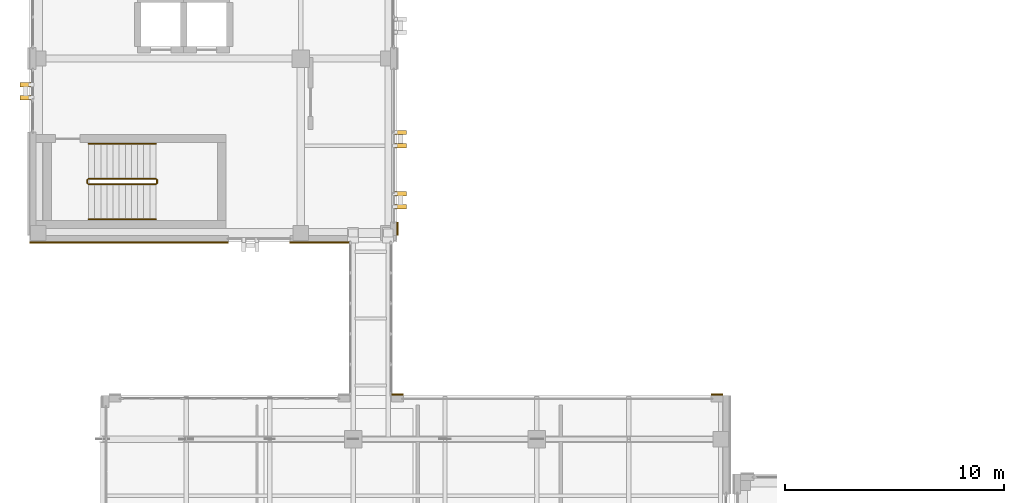
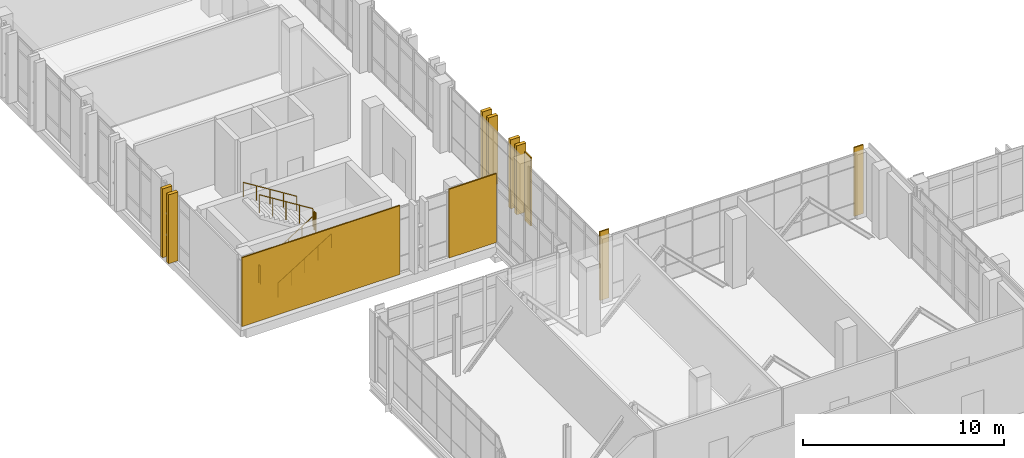
# One storey, part 150 of 165: 11 coverings, 6 railings.
"""IFC4 building model written with IfcOpenShell, lengths in metres."""

from ifc_helpers import new_model, si_unit, direction, frame, origin, origin_2d, place, context, subcontext, project, spatial, rectangle, circle, extrude, material, layer, layer_set, type_object, element, save


model = new_model("IFC4")

# Units and contexts
model_context = context("Model", 3, precision=1e-05, world=origin(), true_north=direction((0.0, 1.0)))
body_context = subcontext(model_context, "Body", "Model", "MODEL_VIEW")
ifc_project = project(units=[si_unit("LENGTHUNIT", "METRE"), si_unit("AREAUNIT", "SQUARE_METRE"), si_unit("VOLUMEUNIT", "CUBIC_METRE"), si_unit("PLANEANGLEUNIT", "RADIAN"), si_unit("MASSUNIT", "GRAM", prefix="KILO")], contexts=[model_context])

# Site, building, storey
site_placement = place(None, origin())
site = spatial("IfcSite", under=ifc_project, at=site_placement, CompositionType="ELEMENT")
building_placement = place(site_placement, origin())
building = spatial("IfcBuilding", under=site, at=building_placement, Name="Qalavern Law Courts", CompositionType="ELEMENT")
storey_placement = place(building_placement, frame((0.0, 0.0, 14.39990234375)))
storey = spatial("IfcBuildingStorey", under=building, at=storey_placement, Name="L03", CompositionType="ELEMENT", Elevation=14.39990234375)

# Coverings
ifc_material_1 = material(Name="Precast concrete C40/50", Category="concrete")
ifc_layer_1 = layer(ifc_material_1, 0.199951171875)
ifc_layer_set_1 = layer_set([ifc_layer_1], Name="Precast concrete C40/50")
covering_type_1 = type_object("IfcCoveringType", Name="ENV-BLD-1", PredefinedType="CLADDING", material=ifc_layer_set_1)
for number, where, z_axis, x_axis, name in (
    (1, (18.96240234375, 42.6201171875, 0.005126953125), (0.0, 0.0, 1.0), (1.0, 0.0, 0.0), "Absheron stone facade blade 0301"),
    (2, (18.96240234375, 43.219970703125, 0.005126953125), (0.0, 0.0, 1.0), (1.0, 0.0, 0.0), "Absheron stone facade blade 0302"),
    (3, (18.96240234375, 45.419921875, 0.005126953125), (0.0, 0.0, 1.0), (1.0, 0.0, 0.0), "Absheron stone facade blade 0303"),
    (4, (18.96240234375, 46.02001953125, 0.005126953125), (0.0, 0.0, 1.0), (1.0, 0.0, 0.0), "Absheron stone facade blade 0304"),
    (5, (1.83740234375, 48.199951171875, 0.005126953125), (0.0, 0.0, 1.0), (-1.0, 0.0, 0.0), "Absheron stone facade blade 0349"),
    (6, (1.83740234375, 47.60009765625, 0.005126953125), (0.0, 0.0, 1.0), (-1.0, 0.0, 0.0), "Absheron stone facade blade 0350"),
):
    element("IfcCovering", number, at=place(storey_placement, frame(where, z_axis=z_axis, x_axis=x_axis)), inside=storey, type_object=covering_type_1, Name=name, PredefinedType="CLADDING", context=body_context, shape_type="SweptSolid", body=[
        extrude(rectangle(XDim=0.5400390625, YDim=0.199951171875, at=origin_2d()), origin(), (0.0, 0.0, 1.0), 4.18994140625),
    ])
ifc_layer_2 = layer(ifc_material_1, 0.072021484375)
ifc_layer_set_2 = layer_set([ifc_layer_2], Name="Precast concrete C40/50")
covering_type_2 = type_object("IfcCoveringType", Name="ENV-CLD-2", PredefinedType="CLADDING", material=ifc_layer_set_2)
for number, where, z_axis, x_axis, name in (
    (7, (33.43505859375, 34.032958984375, 0.01025390625), (0.0, 0.0, 1.0), (-1.0, 0.0, 0.0), "V1 Absheron limestone pier facing L03 north 1"),
    (8, (18.824951171875, 34.032958984375, 0.01025390625), (0.0, 0.0, 1.0), (-1.0, 0.0, 0.0), "V1 Absheron limestone pier facing L03 north 2"),
):
    element("IfcCovering", number, at=place(storey_placement, frame(where, z_axis=z_axis, x_axis=x_axis)), inside=storey, type_object=covering_type_2, Name=name, PredefinedType="CLADDING", context=body_context, shape_type="SweptSolid", body=[
        extrude(rectangle(XDim=0.530029296875, YDim=0.072021484375, at=origin_2d()), origin(), (0.0, 0.0, 1.0), 4.179931640625),
    ])
covering_1_placement = place(storey_placement, frame((6.550048828125, 40.987060546875, 0.01025390625), z_axis=(0.0, 0.0, 1.0), x_axis=(1.0, 0.0, 0.0)))
element("IfcCovering", 9, at=covering_1_placement, inside=storey, type_object=covering_type_2, Name="V3 Absheron limestone pier facing L03 south 1", PredefinedType="CLADDING", context=body_context, shape_type="SweptSolid", body=[
    extrude(rectangle(XDim=9.080078125, YDim=0.072021484375, at=origin_2d()), origin(), (0.0, 0.0, 1.0), 4.179931640625),
])
covering_2_placement = place(storey_placement, frame((15.27490234375, 40.987060546875, 0.01025390625), z_axis=(0.0, 0.0, 1.0), x_axis=(1.0, 0.0, 0.0)))
element("IfcCovering", 10, at=covering_2_placement, inside=storey, type_object=covering_type_2, Name="V3 Absheron limestone pier facing L03 south 2", PredefinedType="CLADDING", context=body_context, shape_type="SweptSolid", body=[
    extrude(rectangle(XDim=2.72998046875, YDim=0.072021484375, at=origin_2d()), origin(), (0.0, 0.0, 1.0), 4.179931640625),
])
covering_3_placement = place(storey_placement, frame((18.8330078125, 41.614990234375, 0.01025390625), z_axis=(0.0, 0.0, 1.0), x_axis=(0.0, 1.0, 0.0)))
element("IfcCovering", 11, at=covering_3_placement, inside=storey, type_object=covering_type_2, Name="V3 Absheron limestone pier facing L03 east 1", PredefinedType="CLADDING", context=body_context, shape_type="SweptSolid", body=[
    extrude(rectangle(XDim=0.590087890625, YDim=0.072021484375, at=origin_2d()), origin(), (0.0, 0.0, 1.0), 4.179931640625),
])

# Railings
ifc_material_2 = material(Name="Steel S355", Category="steel")
railing_type_1 = type_object("IfcRailingType", Name="INT-GUARD-1120", PredefinedType="BALUSTRADE", material=ifc_material_2)
railing_1_placement = place(storey_placement, frame((4.699951171875, 43.64990234375, 0.175048828125)))
element("IfcRailing", 12, at=railing_1_placement, inside=storey, type_object=railing_type_1, Name="L03 ST-K2 stair guard 1", PredefinedType="BALUSTRADE", context=body_context, shape_type="SweptSolid", body=[
    extrude(circle(Radius=0.02392578125, at=origin_2d()), frame((0.0, 0.0, 1.09619140625), z_axis=(0.847998304005, 0.0, 0.529998940003), x_axis=(0.0, 1.0, 0.0)), (0.0, 0.0, 1.0), 3.632080078125),
    extrude(circle(Radius=0.02099609375, at=origin_2d()), origin(), (0.0, 0.0, 1.0), 1.072021484375),
    extrude(circle(Radius=0.02099609375, at=origin_2d()), frame((0.77001953125, 0.0, 0.481201171875)), (0.0, 0.0, 1.0), 1.072021484375),
    extrude(circle(Radius=0.02099609375, at=origin_2d()), frame((1.5400390625, 0.0, 0.96240234375)), (0.0, 0.0, 1.0), 1.072021484375),
    extrude(circle(Radius=0.02099609375, at=origin_2d()), frame((2.31005859375, 0.0, 1.44384765625)), (0.0, 0.0, 1.0), 1.072021484375),
    extrude(circle(Radius=0.02099609375, at=origin_2d()), frame((3.080078125, 0.0, 1.925048828125)), (0.0, 0.0, 1.0), 1.072021484375),
])
railing_2_placement = place(storey_placement, frame((7.830078125, 43.699951171875, 2.10009765625)))
element("IfcRailing", 13, at=railing_2_placement, inside=storey, type_object=railing_type_1, Name="L03 ST-K2 stair guard 2", PredefinedType="BALUSTRADE", context=body_context, shape_type="SweptSolid", body=[
    extrude(circle(Radius=0.02392578125, at=origin_2d()), frame((0.0, 0.0, 1.09619140625), z_axis=(0.0, 1.0, 0.0), x_axis=(-1.0, 0.0, 0.0)), (0.0, 0.0, 1.0), 0.150146484375),
    extrude(circle(Radius=0.02099609375, at=origin_2d()), origin(), (0.0, 0.0, 1.0), 1.072021484375),
    extrude(circle(Radius=0.02099609375, at=origin_2d()), frame((0.0, 0.150146484375, 0.0)), (0.0, 0.0, 1.0), 1.072021484375),
])
railing_3_placement = place(storey_placement, frame((7.780029296875, 43.89990234375, 2.275146484375)))
element("IfcRailing", 14, at=railing_3_placement, inside=storey, type_object=railing_type_1, Name="L03 ST-K2 stair guard 3", PredefinedType="BALUSTRADE", context=body_context, shape_type="SweptSolid", body=[
    extrude(circle(Radius=0.02392578125, at=origin_2d()), frame((0.0, 0.0, 1.09619140625), z_axis=(-0.847998304005, 0.0, 0.529998940003), x_axis=(0.0, -1.0, 0.0)), (0.0, 0.0, 1.0), 3.632080078125),
    extrude(circle(Radius=0.02099609375, at=origin_2d()), origin(), (0.0, 0.0, 1.0), 1.072021484375),
    extrude(circle(Radius=0.02099609375, at=origin_2d()), frame((-0.77001953125, 0.0, 0.481201171875)), (0.0, 0.0, 1.0), 1.072021484375),
    extrude(circle(Radius=0.02099609375, at=origin_2d()), frame((-1.5400390625, 0.0, 0.96240234375)), (0.0, 0.0, 1.0), 1.072021484375),
    extrude(circle(Radius=0.02099609375, at=origin_2d()), frame((-2.31005859375, 0.0, 1.44384765625)), (0.0, 0.0, 1.0), 1.072021484375),
    extrude(circle(Radius=0.02099609375, at=origin_2d()), frame((-3.080078125, 0.0, 1.925048828125)), (0.0, 0.0, 1.0), 1.072021484375),
])
railing_4_placement = place(storey_placement, frame((4.64990234375, 43.699951171875, 0.0)))
element("IfcRailing", 15, at=railing_4_placement, inside=storey, type_object=railing_type_1, Name="L03 ST-K2 stair guard 4", PredefinedType="BALUSTRADE", context=body_context, shape_type="SweptSolid", body=[
    extrude(circle(Radius=0.02392578125, at=origin_2d()), frame((0.0, 0.0, 1.09619140625), z_axis=(0.0, 1.0, 0.0), x_axis=(-1.0, 0.0, 0.0)), (0.0, 0.0, 1.0), 0.150146484375),
    extrude(circle(Radius=0.02099609375, at=origin_2d()), origin(), (0.0, 0.0, 1.0), 1.072021484375),
    extrude(circle(Radius=0.02099609375, at=origin_2d()), frame((0.0, 0.150146484375, 0.0)), (0.0, 0.0, 1.0), 1.072021484375),
])
railing_type_2 = type_object("IfcRailingType", Name="INT-HRAIL-920", PredefinedType="HANDRAIL", material=ifc_material_2)
railing_5_placement = place(storey_placement, frame((4.699951171875, 42.050048828125, 0.175048828125)))
element("IfcRailing", 16, at=railing_5_placement, inside=storey, type_object=railing_type_2, Name="L03 ST-K2 stair handrail 1", PredefinedType="HANDRAIL", context=body_context, shape_type="SweptSolid", body=[
    extrude(circle(Radius=0.02392578125, at=origin_2d()), frame((0.0, 0.0, 0.8759765625), z_axis=(0.847998304005, 0.0, 0.529998940003), x_axis=(0.0, 1.0, 0.0)), (0.0, 0.0, 1.0), 3.632080078125),
    extrude(circle(Radius=0.02099609375, at=origin_2d()), origin(), (0.0, 0.0, 1.0), 0.851806640625),
    extrude(circle(Radius=0.02099609375, at=origin_2d()), frame((0.77001953125, 0.0, 0.481201171875)), (0.0, 0.0, 1.0), 0.851806640625),
    extrude(circle(Radius=0.02099609375, at=origin_2d()), frame((1.5400390625, 0.0, 0.96240234375)), (0.0, 0.0, 1.0), 0.851806640625),
    extrude(circle(Radius=0.02099609375, at=origin_2d()), frame((2.31005859375, 0.0, 1.44384765625)), (0.0, 0.0, 1.0), 0.851806640625),
    extrude(circle(Radius=0.02099609375, at=origin_2d()), frame((3.080078125, 0.0, 1.925048828125)), (0.0, 0.0, 1.0), 0.851806640625),
])
railing_6_placement = place(storey_placement, frame((7.780029296875, 45.5, 2.275146484375)))
element("IfcRailing", 17, at=railing_6_placement, inside=storey, type_object=railing_type_2, Name="L03 ST-K2 stair handrail 2", PredefinedType="HANDRAIL", context=body_context, shape_type="SweptSolid", body=[
    extrude(circle(Radius=0.02392578125, at=origin_2d()), frame((0.0, 0.0, 0.8759765625), z_axis=(-0.847998304005, 0.0, 0.529998940003), x_axis=(0.0, -1.0, 0.0)), (0.0, 0.0, 1.0), 3.632080078125),
    extrude(circle(Radius=0.02099609375, at=origin_2d()), origin(), (0.0, 0.0, 1.0), 0.851806640625),
    extrude(circle(Radius=0.02099609375, at=origin_2d()), frame((-0.77001953125, 0.0, 0.481201171875)), (0.0, 0.0, 1.0), 0.851806640625),
    extrude(circle(Radius=0.02099609375, at=origin_2d()), frame((-1.5400390625, 0.0, 0.96240234375)), (0.0, 0.0, 1.0), 0.851806640625),
    extrude(circle(Radius=0.02099609375, at=origin_2d()), frame((-2.31005859375, 0.0, 1.44384765625)), (0.0, 0.0, 1.0), 0.851806640625),
    extrude(circle(Radius=0.02099609375, at=origin_2d()), frame((-3.080078125, 0.0, 1.925048828125)), (0.0, 0.0, 1.0), 0.851806640625),
])

save(model, "model.ifc")
